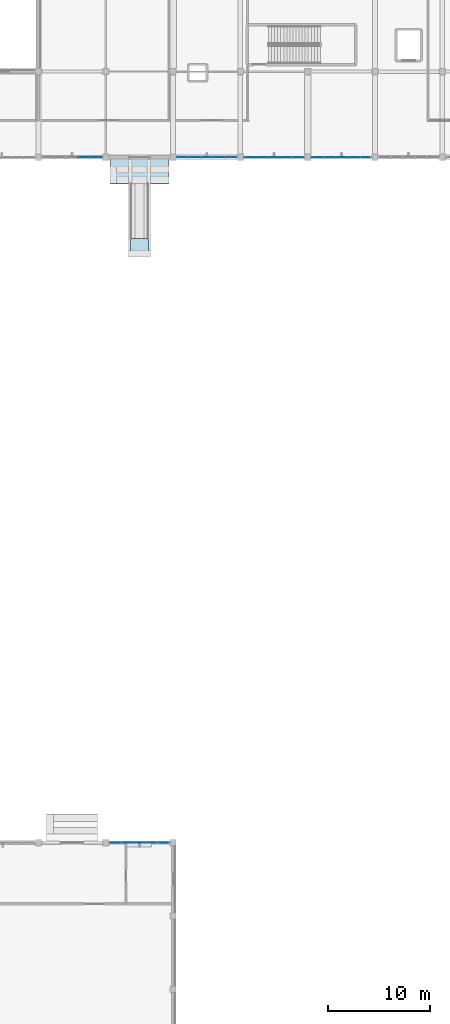
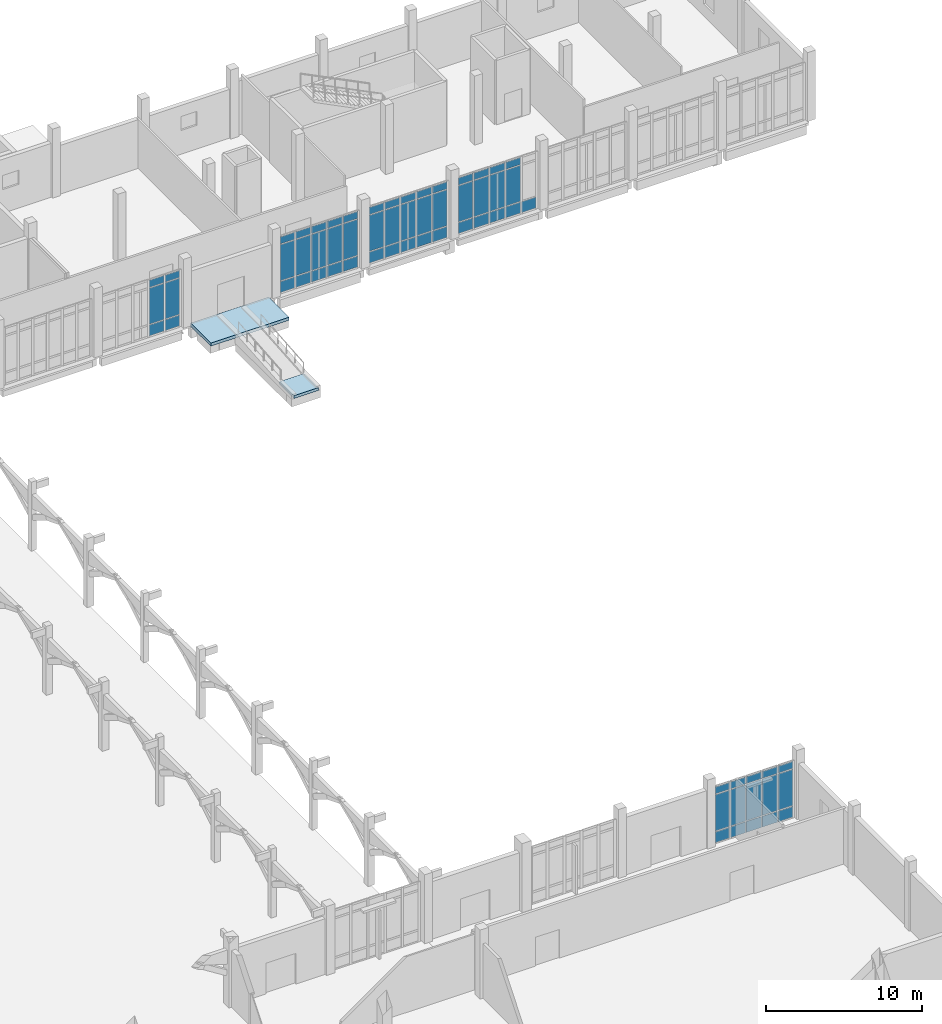
# One storey, part 86 of 110: 64 plates, 2 slabs, 6 elements without a shape of their own.
"""IFC4 building model written with IfcOpenShell, lengths in metres."""

import ifcopenshell
import ifcopenshell.guid

model = None  # the IFC model being written
_history = None  # IfcOwnerHistory: only IFC2X3 demands one
_inside = {}  # id of a spatial element -> (the spatial element, [elements in it])
_under = {}  # id of a project, library or spatial element -> (it, [spatial elements below it])
_declared = {}  # id of a project -> (the project, [libraries it declares])
_typed = {}  # id of a type object -> (the type object, [elements of that type])
_made_of = {}  # id of a material, layer set ... -> (it, [elements and type objects made of it])


def new_model(schema):
    """Start an empty IFC model of exactly this schema.

    Asked for "IFC4X3", IfcOpenShell would pick the latest addendum, in which some entities
    have other attributes; the version numbers below select the first issue.
    IFC2X3 requires an IfcOwnerHistory on every rooted entity: one is made here for all.
    """
    global model, _history
    if schema == "IFC4X3":
        model = ifcopenshell.file(schema_version=(4, 3, 0, 0))
    else:
        model = ifcopenshell.file(schema=schema)
    _inside.clear()
    _under.clear()
    _declared.clear()
    _typed.clear()
    _made_of.clear()
    _history = None
    if model.schema == "IFC2X3":
        org = make("IfcOrganization", Name="unknown")
        user = make(
            "IfcPersonAndOrganization",
            ThePerson=make("IfcPerson", FamilyName="unknown"),
            TheOrganization=org,
        )
        app = make(
            "IfcApplication",
            ApplicationDeveloper=org,
            Version="unknown",
            ApplicationFullName="unknown",
            ApplicationIdentifier="unknown",
        )
        _history = make(
            "IfcOwnerHistory",
            OwningUser=user,
            OwningApplication=app,
            ChangeAction="ADDED",
            CreationDate=0,
        )
    return model


def make(cls, **values):
    """One entity of the class cls with the attributes given. An attribute that is None is left unset."""
    return model.create_entity(
        cls, **{name: value for name, value in values.items() if value is not None}
    )


def rooted(cls, **values):
    """An entity with a GlobalId (a new one), such as an element, a storey or a relation."""
    return make(cls, GlobalId=ifcopenshell.guid.new(), OwnerHistory=_history, **values)


def si_unit(unit_type, name, prefix=None):
    """IfcSIUnit, for example si_unit("LENGTHUNIT", "METRE", prefix="MILLI")."""
    return make("IfcSIUnit", UnitType=unit_type, Prefix=prefix, Name=name)


def assignment(units):
    """IfcUnitAssignment: the units of a project."""
    return None if units is None else make("IfcUnitAssignment", Units=units)


def point(xyz):
    """IfcCartesianPoint."""
    return None if xyz is None else make("IfcCartesianPoint", Coordinates=xyz)


def direction(xyz):
    """IfcDirection."""
    return None if xyz is None else make("IfcDirection", DirectionRatios=xyz)


def frame(location, z_axis=None, x_axis=None):
    """IfcAxis2Placement3D, a coordinate frame: its origin and axes. An axis left out is left unset."""
    return make(
        "IfcAxis2Placement3D",
        Location=point(location),
        Axis=direction(z_axis),
        RefDirection=direction(x_axis),
    )


def frame_2d(location, x_axis=None):
    """IfcAxis2Placement2D, a coordinate frame in the plane: its origin and x axis."""
    return make(
        "IfcAxis2Placement2D", Location=point(location), RefDirection=direction(x_axis)
    )


def origin():
    """The frame at (0, 0, 0) with its axes left unset."""
    return frame((0.0, 0.0, 0.0))


def origin_2d():
    """The frame at (0, 0) in the plane with its x axis left unset."""
    return frame_2d((0.0, 0.0))


def place(relative_to, where):
    """IfcLocalPlacement: puts the frame where relative to a parent placement (None: the world)."""
    return make(
        "IfcLocalPlacement", PlacementRelTo=relative_to, RelativePlacement=where
    )


def context(
    kind, dimensions, precision=None, world=None, true_north=None, identifier=None
):
    """IfcGeometricRepresentationContext, for example the 3D "Model" context."""
    return make(
        "IfcGeometricRepresentationContext",
        ContextIdentifier=identifier,
        ContextType=kind,
        CoordinateSpaceDimension=dimensions,
        Precision=precision,
        WorldCoordinateSystem=world,
        TrueNorth=true_north,
    )


def subcontext(parent, identifier, kind, view, scale=None):
    """IfcGeometricRepresentationSubContext, for example "Body" below "Model"."""
    return make(
        "IfcGeometricRepresentationSubContext",
        ContextIdentifier=identifier,
        ContextType=kind,
        ParentContext=parent,
        TargetScale=scale,
        TargetView=view,
    )


def project(units=None, contexts=None):
    """IfcProject with its units and contexts."""
    return rooted(
        "IfcProject",
        Name="project",
        RepresentationContexts=contexts,
        UnitsInContext=assignment(units),
    )


def spatial(cls, under=None, at=None, **own):
    """A site, building, storey or space (cls), placed at a placement, below another one or the project."""
    s = rooted(cls, ObjectPlacement=at, **own)
    if under is not None:
        _under.setdefault(under.id(), (under, []))[1].append(s)
    return s


def polyline(points):
    """IfcPolyline through the points."""
    return make("IfcPolyline", Points=[point(p) for p in points])


def profile(cls, at=None, kind="AREA", **sizes):
    """A parametric profile (cls). Its sizes go by their IFC names, for example OverallWidth=200.0."""
    return make(cls, ProfileType=kind, Position=at, **sizes)


def rectangle(**sizes):
    """IfcRectangleProfileDef."""
    return profile("IfcRectangleProfileDef", **sizes)


def outline(outer, holes=None, kind="AREA"):
    """IfcArbitraryClosedProfileDef: a profile drawn as a closed curve; with holes, ...WithVoids."""
    if holes is None:
        return make("IfcArbitraryClosedProfileDef", ProfileType=kind, OuterCurve=outer)
    return make(
        "IfcArbitraryProfileDefWithVoids",
        ProfileType=kind,
        OuterCurve=outer,
        InnerCurves=holes,
    )


def extrude(swept, where, along, depth):
    """IfcExtrudedAreaSolid: the profile swept, set in the frame where, extruded along a direction by depth."""
    return make(
        "IfcExtrudedAreaSolid",
        SweptArea=swept,
        Position=where,
        ExtrudedDirection=direction(along),
        Depth=depth,
    )


def shape(context_of_items, identifier, shape_type, items):
    """IfcShapeRepresentation: the items that make up one representation, for example the "Body"."""
    return make(
        "IfcShapeRepresentation",
        ContextOfItems=context_of_items,
        RepresentationIdentifier=identifier,
        RepresentationType=shape_type,
        Items=items,
    )


def material(Name=None, Category=None):
    """IfcMaterial."""
    return make("IfcMaterial", Name=Name, Category=Category)


def layer(
    of_material, thickness, ventilated=None, Name=None, Category=None, Priority=None
):
    """IfcMaterialLayer: one layer of a wall or slab, of a material (None: an air gap)."""
    return make(
        "IfcMaterialLayer",
        Material=of_material,
        LayerThickness=thickness,
        IsVentilated=ventilated,
        Name=Name,
        Category=Category,
        Priority=Priority,
    )


def layer_set(layers, Name=None):
    """IfcMaterialLayerSet."""
    return make("IfcMaterialLayerSet", MaterialLayers=layers, LayerSetName=Name)


def made_of(thing, what):
    """Note that an element or type object is made of a material, layer set ...; save() writes the relation."""
    if what is not None:
        _made_of.setdefault(what.id(), (what, []))[1].append(thing)
    return thing


def type_object(cls, material=None, **own):
    """A type object (cls), such as IfcWallType, which elements share."""
    return made_of(rooted(cls, **own), material)


def element(
    cls,
    number,
    at=None,
    inside=None,
    cuts=None,
    type_object=None,
    material=None,
    context=None,
    identifier="Body",
    shape_type=None,
    held_by="IfcProductDefinitionShape",
    body=None,
    shapes=None,
    **own,
):
    """One element of the class cls, such as IfcWall. Its Tag is "e" and its number.

    at: its placement. inside: the storey or other place that contains it. cuts: it is an
    opening in that element (IfcRelVoidsElement). A single representation is given by context,
    identifier, shape_type and body (its items); several are given by shapes. held_by: the class
    of the entity that holds the representations. save() writes the other relations.
    """
    e = rooted(cls, Tag="e%d" % number, ObjectPlacement=at, **own)
    if body is not None:
        shapes = [shape(context, identifier, shape_type, body)]
    if shapes is not None:
        e.Representation = make(held_by, Representations=shapes)
    if inside is not None:
        _inside.setdefault(inside.id(), (inside, []))[1].append(e)
    if cuts is not None:
        rooted(
            "IfcRelVoidsElement", RelatingBuildingElement=cuts, RelatedOpeningElement=e
        )
    if type_object is not None:
        _typed.setdefault(type_object.id(), (type_object, []))[1].append(e)
    return made_of(e, material)


def aggregate(whole, parts):
    """IfcRelAggregates: a whole, such as a stair, and the parts it consists of."""
    return rooted("IfcRelAggregates", RelatingObject=whole, RelatedObjects=parts)


def save(model, path):
    """Write the relations noted so far, then the file.

    IfcRelAggregates (storeys below a building ...), IfcRelContainedInSpatialStructure (elements
    in a storey), IfcRelDefinesByType, IfcRelAssociatesMaterial and IfcRelDeclares: one each for
    every whole, place, type object, material and project.
    """
    for whole, parts in _under.values():
        aggregate(whole, parts)
    for where, things in _inside.values():
        rooted(
            "IfcRelContainedInSpatialStructure",
            RelatedElements=things,
            RelatingStructure=where,
        )
    for kind, things in _typed.values():
        rooted("IfcRelDefinesByType", RelatedObjects=things, RelatingType=kind)
    for what, things in _made_of.values():
        rooted("IfcRelAssociatesMaterial", RelatedObjects=things, RelatingMaterial=what)
    for by, libraries in _declared.values():
        rooted("IfcRelDeclares", RelatingContext=by, RelatedDefinitions=libraries)
    model.write(path)


model = new_model("IFC4")

# Units and contexts
model_context = context("Model", 3, precision=1e-05, world=origin(), true_north=direction((0.0, 1.0)))
body_context = subcontext(model_context, "Body", "Model", "MODEL_VIEW")
ifc_project = project(units=[si_unit("LENGTHUNIT", "METRE"), si_unit("AREAUNIT", "SQUARE_METRE"), si_unit("VOLUMEUNIT", "CUBIC_METRE"), si_unit("PLANEANGLEUNIT", "RADIAN"), si_unit("MASSUNIT", "GRAM", prefix="KILO")], contexts=[model_context])

# Site, building, storey
site_placement = place(None, origin())
site = spatial("IfcSite", under=ifc_project, at=site_placement, CompositionType="ELEMENT")
building_placement = place(site_placement, origin())
building = spatial("IfcBuilding", under=site, at=building_placement, Name="Kalluvel Institute of Natural Sciences", CompositionType="ELEMENT")
storey_placement = place(building_placement, origin())
storey = spatial("IfcBuildingStorey", under=building, at=storey_placement, Name="L00", CompositionType="ELEMENT", Elevation=0.0)

# Curtain wall, plates
ifc_material_1 = material(Name="Aluminium AW-6063 T6", Category="aluminium")
curtain_wall_type_1 = type_object("IfcCurtainWallType", Name="CW-CLN-54", PredefinedType="USERDEFINED", material=ifc_material_1)
curtain_wall_1_placement = place(storey_placement, origin())
curtain_wall_1 = element("IfcCurtainWall", 1, at=curtain_wall_1_placement, inside=storey, type_object=curtain_wall_type_1, Name="L00 Gothic lancet curtain wall CWA-L00-X1296-Y1028", ObjectType="UNITISED LANCET FACADE", PredefinedType="USERDEFINED")
ifc_material_2 = material(Name="Solar-Control Low-E Laminated Glass", Category="glass")
ifc_layer_1 = layer(ifc_material_2, 0.028076171875)
ifc_layer_set_1 = layer_set([ifc_layer_1], Name="Solar-Control Low-E Laminated Glass")
plate_type_1 = type_object("IfcPlateType", Name="CWP-DGU-28", PredefinedType="CURTAIN_PANEL", material=ifc_layer_set_1)
plate_1_placement = place(storey_placement, frame((133.679931640625, 102.800048828125, 0.06494140625), z_axis=(0.0, 0.0, 1.0), x_axis=(1.0, 0.0, 0.0)))
plate_1 = element("IfcPlate", 2, at=plate_1_placement, type_object=plate_type_1, Name="CW-09 panel 4.1", PredefinedType="CURTAIN_PANEL", context=body_context, shape_type="SweptSolid", body=[
    extrude(rectangle(XDim=1.114990234375, YDim=0.028076171875, at=origin_2d()), origin(), (0.0, 0.0, 1.0), 0.8525390625),
])
plate_2_placement = place(storey_placement, frame((133.679931640625, 102.800048828125, 0.982421875), z_axis=(0.0, 0.0, 1.0), x_axis=(1.0, 0.0, 0.0)))
plate_2 = element("IfcPlate", 3, at=plate_2_placement, type_object=plate_type_1, Name="CW-09 panel 4.2", PredefinedType="CURTAIN_PANEL", context=body_context, shape_type="SweptSolid", body=[
    extrude(rectangle(XDim=1.114990234375, YDim=0.028076171875, at=origin_2d()), origin(), (0.0, 0.0, 1.0), 2.81494140625),
])
plate_3_placement = place(storey_placement, frame((133.679931640625, 102.800048828125, 3.8623046875), z_axis=(0.0, 0.0, 1.0), x_axis=(1.0, 0.0, 0.0)))
plate_3 = element("IfcPlate", 4, at=plate_3_placement, type_object=plate_type_1, Name="CW-09 panel 4.3", PredefinedType="CURTAIN_PANEL", context=body_context, shape_type="SweptSolid", body=[
    extrude(rectangle(XDim=1.114990234375, YDim=0.028076171875, at=origin_2d()), origin(), (0.0, 0.0, 1.0), 0.552490234375),
])
plate_4_placement = place(storey_placement, frame((134.84375, 102.800048828125, 0.06494140625), z_axis=(0.0, 0.0, 1.0), x_axis=(1.0, 0.0, 0.0)))
plate_4 = element("IfcPlate", 5, at=plate_4_placement, type_object=plate_type_1, Name="CW-09 panel 5.1", PredefinedType="CURTAIN_PANEL", context=body_context, shape_type="SweptSolid", body=[
    extrude(rectangle(XDim=1.08251953125, YDim=0.028076171875, at=origin_2d()), origin(), (0.0, 0.0, 1.0), 0.8525390625),
])
plate_5_placement = place(storey_placement, frame((134.84375, 102.800048828125, 0.982421875), z_axis=(0.0, 0.0, 1.0), x_axis=(1.0, 0.0, 0.0)))
plate_5 = element("IfcPlate", 6, at=plate_5_placement, type_object=plate_type_1, Name="CW-09 panel 5.2", PredefinedType="CURTAIN_PANEL", context=body_context, shape_type="SweptSolid", body=[
    extrude(rectangle(XDim=1.08251953125, YDim=0.028076171875, at=origin_2d()), origin(), (0.0, 0.0, 1.0), 2.81494140625),
])
plate_6_placement = place(storey_placement, frame((134.84375, 102.800048828125, 3.8623046875), z_axis=(0.0, 0.0, 1.0), x_axis=(1.0, 0.0, 0.0)))
plate_6 = element("IfcPlate", 7, at=plate_6_placement, type_object=plate_type_1, Name="CW-09 panel 5.3", PredefinedType="CURTAIN_PANEL", context=body_context, shape_type="SweptSolid", body=[
    extrude(rectangle(XDim=1.08251953125, YDim=0.028076171875, at=origin_2d()), origin(), (0.0, 0.0, 1.0), 0.552490234375),
])
aggregate(curtain_wall_1, [plate_1, plate_2, plate_3, plate_4, plate_5, plate_6])

curtain_wall_2_placement = place(storey_placement, origin())
curtain_wall_2 = element("IfcCurtainWall", 8, at=curtain_wall_2_placement, inside=storey, type_object=curtain_wall_type_1, Name="L00 Gothic lancet curtain wall CWA-L00-X1428-Y1028", ObjectType="UNITISED LANCET FACADE", PredefinedType="USERDEFINED")
plate_7_placement = place(storey_placement, frame((143.356201171875, 102.800048828125, 0.06494140625), z_axis=(0.0, 0.0, 1.0), x_axis=(1.0, 0.0, 0.0)))
plate_7 = element("IfcPlate", 9, at=plate_7_placement, type_object=plate_type_1, Name="CW-09 panel 1.1", PredefinedType="CURTAIN_PANEL", context=body_context, shape_type="SweptSolid", body=[
    extrude(rectangle(XDim=1.08251953125, YDim=0.028076171875, at=origin_2d()), origin(), (0.0, 0.0, 1.0), 0.8525390625),
])
plate_8_placement = place(storey_placement, frame((143.356201171875, 102.800048828125, 0.982421875), z_axis=(0.0, 0.0, 1.0), x_axis=(1.0, 0.0, 0.0)))
plate_8 = element("IfcPlate", 10, at=plate_8_placement, type_object=plate_type_1, Name="CW-09 panel 1.2", PredefinedType="CURTAIN_PANEL", context=body_context, shape_type="SweptSolid", body=[
    extrude(rectangle(XDim=1.08251953125, YDim=0.028076171875, at=origin_2d()), origin(), (0.0, 0.0, 1.0), 2.81494140625),
])
plate_9_placement = place(storey_placement, frame((143.356201171875, 102.800048828125, 3.8623046875), z_axis=(0.0, 0.0, 1.0), x_axis=(1.0, 0.0, 0.0)))
plate_9 = element("IfcPlate", 11, at=plate_9_placement, type_object=plate_type_1, Name="CW-09 panel 1.3", PredefinedType="CURTAIN_PANEL", context=body_context, shape_type="SweptSolid", body=[
    extrude(rectangle(XDim=1.08251953125, YDim=0.028076171875, at=origin_2d()), origin(), (0.0, 0.0, 1.0), 0.552490234375),
])
plate_10_placement = place(storey_placement, frame((144.52001953125, 102.800048828125, 0.06494140625), z_axis=(0.0, 0.0, 1.0), x_axis=(1.0, 0.0, 0.0)))
plate_10 = element("IfcPlate", 12, at=plate_10_placement, type_object=plate_type_1, Name="CW-09 panel 2.1", PredefinedType="CURTAIN_PANEL", context=body_context, shape_type="SweptSolid", body=[
    extrude(rectangle(XDim=1.114990234375, YDim=0.028076171875, at=origin_2d()), origin(), (0.0, 0.0, 1.0), 0.8525390625),
])
plate_11_placement = place(storey_placement, frame((144.52001953125, 102.800048828125, 0.982421875), z_axis=(0.0, 0.0, 1.0), x_axis=(1.0, 0.0, 0.0)))
plate_11 = element("IfcPlate", 13, at=plate_11_placement, type_object=plate_type_1, Name="CW-09 panel 2.2", PredefinedType="CURTAIN_PANEL", context=body_context, shape_type="SweptSolid", body=[
    extrude(rectangle(XDim=1.114990234375, YDim=0.028076171875, at=origin_2d()), origin(), (0.0, 0.0, 1.0), 2.81494140625),
])
plate_12_placement = place(storey_placement, frame((144.52001953125, 102.800048828125, 3.8623046875), z_axis=(0.0, 0.0, 1.0), x_axis=(1.0, 0.0, 0.0)))
plate_12 = element("IfcPlate", 14, at=plate_12_placement, type_object=plate_type_1, Name="CW-09 panel 2.3", PredefinedType="CURTAIN_PANEL", context=body_context, shape_type="SweptSolid", body=[
    extrude(rectangle(XDim=1.114990234375, YDim=0.028076171875, at=origin_2d()), origin(), (0.0, 0.0, 1.0), 0.552490234375),
])
plate_13_placement = place(storey_placement, frame((145.699951171875, 102.800048828125, 0.06494140625), z_axis=(0.0, 0.0, 1.0), x_axis=(1.0, 0.0, 0.0)))
plate_13 = element("IfcPlate", 15, at=plate_13_placement, type_object=plate_type_1, Name="CW-09 panel 3.1", PredefinedType="CURTAIN_PANEL", context=body_context, shape_type="SweptSolid", body=[
    extrude(rectangle(XDim=1.114990234375, YDim=0.028076171875, at=origin_2d()), origin(), (0.0, 0.0, 1.0), 0.8525390625),
])
plate_14_placement = place(storey_placement, frame((145.699951171875, 102.800048828125, 0.982421875), z_axis=(0.0, 0.0, 1.0), x_axis=(1.0, 0.0, 0.0)))
plate_14 = element("IfcPlate", 16, at=plate_14_placement, type_object=plate_type_1, Name="CW-09 panel 3.2", PredefinedType="CURTAIN_PANEL", context=body_context, shape_type="SweptSolid", body=[
    extrude(rectangle(XDim=1.114990234375, YDim=0.028076171875, at=origin_2d()), origin(), (0.0, 0.0, 1.0), 2.81494140625),
])
plate_15_placement = place(storey_placement, frame((145.699951171875, 102.800048828125, 3.8623046875), z_axis=(0.0, 0.0, 1.0), x_axis=(1.0, 0.0, 0.0)))
plate_15 = element("IfcPlate", 17, at=plate_15_placement, type_object=plate_type_1, Name="CW-09 panel 3.3", PredefinedType="CURTAIN_PANEL", context=body_context, shape_type="SweptSolid", body=[
    extrude(rectangle(XDim=1.114990234375, YDim=0.028076171875, at=origin_2d()), origin(), (0.0, 0.0, 1.0), 0.552490234375),
])
plate_16_placement = place(storey_placement, frame((146.8798828125, 102.800048828125, 0.06494140625), z_axis=(0.0, 0.0, 1.0), x_axis=(1.0, 0.0, 0.0)))
plate_16 = element("IfcPlate", 18, at=plate_16_placement, type_object=plate_type_1, Name="CW-09 panel 4.1", PredefinedType="CURTAIN_PANEL", context=body_context, shape_type="SweptSolid", body=[
    extrude(rectangle(XDim=1.114990234375, YDim=0.028076171875, at=origin_2d()), origin(), (0.0, 0.0, 1.0), 0.8525390625),
])
plate_17_placement = place(storey_placement, frame((146.8798828125, 102.800048828125, 0.982421875), z_axis=(0.0, 0.0, 1.0), x_axis=(1.0, 0.0, 0.0)))
plate_17 = element("IfcPlate", 19, at=plate_17_placement, type_object=plate_type_1, Name="CW-09 panel 4.2", PredefinedType="CURTAIN_PANEL", context=body_context, shape_type="SweptSolid", body=[
    extrude(rectangle(XDim=1.114990234375, YDim=0.028076171875, at=origin_2d()), origin(), (0.0, 0.0, 1.0), 2.81494140625),
])
plate_18_placement = place(storey_placement, frame((146.8798828125, 102.800048828125, 3.8623046875), z_axis=(0.0, 0.0, 1.0), x_axis=(1.0, 0.0, 0.0)))
plate_18 = element("IfcPlate", 20, at=plate_18_placement, type_object=plate_type_1, Name="CW-09 panel 4.3", PredefinedType="CURTAIN_PANEL", context=body_context, shape_type="SweptSolid", body=[
    extrude(rectangle(XDim=1.114990234375, YDim=0.028076171875, at=origin_2d()), origin(), (0.0, 0.0, 1.0), 0.552490234375),
])
plate_19_placement = place(storey_placement, frame((148.043701171875, 102.800048828125, 0.06494140625), z_axis=(0.0, 0.0, 1.0), x_axis=(1.0, 0.0, 0.0)))
plate_19 = element("IfcPlate", 21, at=plate_19_placement, type_object=plate_type_1, Name="CW-09 panel 5.1", PredefinedType="CURTAIN_PANEL", context=body_context, shape_type="SweptSolid", body=[
    extrude(rectangle(XDim=1.08251953125, YDim=0.028076171875, at=origin_2d()), origin(), (0.0, 0.0, 1.0), 0.8525390625),
])
plate_20_placement = place(storey_placement, frame((148.043701171875, 102.800048828125, 0.982421875), z_axis=(0.0, 0.0, 1.0), x_axis=(1.0, 0.0, 0.0)))
plate_20 = element("IfcPlate", 22, at=plate_20_placement, type_object=plate_type_1, Name="CW-09 panel 5.2", PredefinedType="CURTAIN_PANEL", context=body_context, shape_type="SweptSolid", body=[
    extrude(rectangle(XDim=1.08251953125, YDim=0.028076171875, at=origin_2d()), origin(), (0.0, 0.0, 1.0), 2.81494140625),
])
plate_21_placement = place(storey_placement, frame((148.043701171875, 102.800048828125, 3.8623046875), z_axis=(0.0, 0.0, 1.0), x_axis=(1.0, 0.0, 0.0)))
plate_21 = element("IfcPlate", 23, at=plate_21_placement, type_object=plate_type_1, Name="CW-09 panel 5.3", PredefinedType="CURTAIN_PANEL", context=body_context, shape_type="SweptSolid", body=[
    extrude(rectangle(XDim=1.08251953125, YDim=0.028076171875, at=origin_2d()), origin(), (0.0, 0.0, 1.0), 0.552490234375),
])
aggregate(curtain_wall_2, [plate_7, plate_8, plate_9, plate_10, plate_11, plate_12, plate_13, plate_14, plate_15, plate_16, plate_17, plate_18, plate_19, plate_20, plate_21])

curtain_wall_3_placement = place(storey_placement, origin())
curtain_wall_3 = element("IfcCurtainWall", 24, at=curtain_wall_3_placement, inside=storey, type_object=curtain_wall_type_1, Name="L00 Gothic lancet curtain wall CWA-L00-X1494-Y1028", ObjectType="UNITISED LANCET FACADE", PredefinedType="USERDEFINED")
plate_22_placement = place(storey_placement, frame((149.956298828125, 102.800048828125, 0.06494140625), z_axis=(0.0, 0.0, 1.0), x_axis=(1.0, 0.0, 0.0)))
plate_22 = element("IfcPlate", 25, at=plate_22_placement, type_object=plate_type_1, Name="CW-09 panel 1.1", PredefinedType="CURTAIN_PANEL", context=body_context, shape_type="SweptSolid", body=[
    extrude(rectangle(XDim=1.08251953125, YDim=0.028076171875, at=origin_2d()), origin(), (0.0, 0.0, 1.0), 0.8525390625),
])
plate_23_placement = place(storey_placement, frame((149.956298828125, 102.800048828125, 0.982421875), z_axis=(0.0, 0.0, 1.0), x_axis=(1.0, 0.0, 0.0)))
plate_23 = element("IfcPlate", 26, at=plate_23_placement, type_object=plate_type_1, Name="CW-09 panel 1.2", PredefinedType="CURTAIN_PANEL", context=body_context, shape_type="SweptSolid", body=[
    extrude(rectangle(XDim=1.08251953125, YDim=0.028076171875, at=origin_2d()), origin(), (0.0, 0.0, 1.0), 2.81494140625),
])
plate_24_placement = place(storey_placement, frame((149.956298828125, 102.800048828125, 3.8623046875), z_axis=(0.0, 0.0, 1.0), x_axis=(1.0, 0.0, 0.0)))
plate_24 = element("IfcPlate", 27, at=plate_24_placement, type_object=plate_type_1, Name="CW-09 panel 1.3", PredefinedType="CURTAIN_PANEL", context=body_context, shape_type="SweptSolid", body=[
    extrude(rectangle(XDim=1.08251953125, YDim=0.028076171875, at=origin_2d()), origin(), (0.0, 0.0, 1.0), 0.552490234375),
])
plate_25_placement = place(storey_placement, frame((151.1201171875, 102.800048828125, 0.06494140625), z_axis=(0.0, 0.0, 1.0), x_axis=(1.0, 0.0, 0.0)))
plate_25 = element("IfcPlate", 28, at=plate_25_placement, type_object=plate_type_1, Name="CW-09 panel 2.1", PredefinedType="CURTAIN_PANEL", context=body_context, shape_type="SweptSolid", body=[
    extrude(rectangle(XDim=1.114990234375, YDim=0.028076171875, at=origin_2d()), origin(), (0.0, 0.0, 1.0), 0.8525390625),
])
plate_26_placement = place(storey_placement, frame((151.1201171875, 102.800048828125, 0.982421875), z_axis=(0.0, 0.0, 1.0), x_axis=(1.0, 0.0, 0.0)))
plate_26 = element("IfcPlate", 29, at=plate_26_placement, type_object=plate_type_1, Name="CW-09 panel 2.2", PredefinedType="CURTAIN_PANEL", context=body_context, shape_type="SweptSolid", body=[
    extrude(rectangle(XDim=1.114990234375, YDim=0.028076171875, at=origin_2d()), origin(), (0.0, 0.0, 1.0), 2.81494140625),
])
plate_27_placement = place(storey_placement, frame((151.1201171875, 102.800048828125, 3.8623046875), z_axis=(0.0, 0.0, 1.0), x_axis=(1.0, 0.0, 0.0)))
plate_27 = element("IfcPlate", 30, at=plate_27_placement, type_object=plate_type_1, Name="CW-09 panel 2.3", PredefinedType="CURTAIN_PANEL", context=body_context, shape_type="SweptSolid", body=[
    extrude(rectangle(XDim=1.114990234375, YDim=0.028076171875, at=origin_2d()), origin(), (0.0, 0.0, 1.0), 0.552490234375),
])
plate_28_placement = place(storey_placement, frame((152.300048828125, 102.800048828125, 0.06494140625), z_axis=(0.0, 0.0, 1.0), x_axis=(1.0, 0.0, 0.0)))
plate_28 = element("IfcPlate", 31, at=plate_28_placement, type_object=plate_type_1, Name="CW-09 panel 3.1", PredefinedType="CURTAIN_PANEL", context=body_context, shape_type="SweptSolid", body=[
    extrude(rectangle(XDim=1.114990234375, YDim=0.028076171875, at=origin_2d()), origin(), (0.0, 0.0, 1.0), 0.8525390625),
])
plate_29_placement = place(storey_placement, frame((152.300048828125, 102.800048828125, 0.982421875), z_axis=(0.0, 0.0, 1.0), x_axis=(1.0, 0.0, 0.0)))
plate_29 = element("IfcPlate", 32, at=plate_29_placement, type_object=plate_type_1, Name="CW-09 panel 3.2", PredefinedType="CURTAIN_PANEL", context=body_context, shape_type="SweptSolid", body=[
    extrude(rectangle(XDim=1.114990234375, YDim=0.028076171875, at=origin_2d()), origin(), (0.0, 0.0, 1.0), 2.81494140625),
])
plate_30_placement = place(storey_placement, frame((152.300048828125, 102.800048828125, 3.8623046875), z_axis=(0.0, 0.0, 1.0), x_axis=(1.0, 0.0, 0.0)))
plate_30 = element("IfcPlate", 33, at=plate_30_placement, type_object=plate_type_1, Name="CW-09 panel 3.3", PredefinedType="CURTAIN_PANEL", context=body_context, shape_type="SweptSolid", body=[
    extrude(rectangle(XDim=1.114990234375, YDim=0.028076171875, at=origin_2d()), origin(), (0.0, 0.0, 1.0), 0.552490234375),
])
plate_31_placement = place(storey_placement, frame((153.47998046875, 102.800048828125, 0.06494140625), z_axis=(0.0, 0.0, 1.0), x_axis=(1.0, 0.0, 0.0)))
plate_31 = element("IfcPlate", 34, at=plate_31_placement, type_object=plate_type_1, Name="CW-09 panel 4.1", PredefinedType="CURTAIN_PANEL", context=body_context, shape_type="SweptSolid", body=[
    extrude(rectangle(XDim=1.114990234375, YDim=0.028076171875, at=origin_2d()), origin(), (0.0, 0.0, 1.0), 0.8525390625),
])
plate_32_placement = place(storey_placement, frame((153.47998046875, 102.800048828125, 0.982421875), z_axis=(0.0, 0.0, 1.0), x_axis=(1.0, 0.0, 0.0)))
plate_32 = element("IfcPlate", 35, at=plate_32_placement, type_object=plate_type_1, Name="CW-09 panel 4.2", PredefinedType="CURTAIN_PANEL", context=body_context, shape_type="SweptSolid", body=[
    extrude(rectangle(XDim=1.114990234375, YDim=0.028076171875, at=origin_2d()), origin(), (0.0, 0.0, 1.0), 2.81494140625),
])
plate_33_placement = place(storey_placement, frame((153.47998046875, 102.800048828125, 3.8623046875), z_axis=(0.0, 0.0, 1.0), x_axis=(1.0, 0.0, 0.0)))
plate_33 = element("IfcPlate", 36, at=plate_33_placement, type_object=plate_type_1, Name="CW-09 panel 4.3", PredefinedType="CURTAIN_PANEL", context=body_context, shape_type="SweptSolid", body=[
    extrude(rectangle(XDim=1.114990234375, YDim=0.028076171875, at=origin_2d()), origin(), (0.0, 0.0, 1.0), 0.552490234375),
])
plate_34_placement = place(storey_placement, frame((154.643798828125, 102.800048828125, 0.06494140625), z_axis=(0.0, 0.0, 1.0), x_axis=(1.0, 0.0, 0.0)))
plate_34 = element("IfcPlate", 37, at=plate_34_placement, type_object=plate_type_1, Name="CW-09 panel 5.1", PredefinedType="CURTAIN_PANEL", context=body_context, shape_type="SweptSolid", body=[
    extrude(rectangle(XDim=1.08251953125, YDim=0.028076171875, at=origin_2d()), origin(), (0.0, 0.0, 1.0), 0.8525390625),
])
plate_35_placement = place(storey_placement, frame((154.643798828125, 102.800048828125, 0.982421875), z_axis=(0.0, 0.0, 1.0), x_axis=(1.0, 0.0, 0.0)))
plate_35 = element("IfcPlate", 38, at=plate_35_placement, type_object=plate_type_1, Name="CW-09 panel 5.2", PredefinedType="CURTAIN_PANEL", context=body_context, shape_type="SweptSolid", body=[
    extrude(rectangle(XDim=1.08251953125, YDim=0.028076171875, at=origin_2d()), origin(), (0.0, 0.0, 1.0), 2.81494140625),
])
plate_36_placement = place(storey_placement, frame((154.643798828125, 102.800048828125, 3.8623046875), z_axis=(0.0, 0.0, 1.0), x_axis=(1.0, 0.0, 0.0)))
plate_36 = element("IfcPlate", 39, at=plate_36_placement, type_object=plate_type_1, Name="CW-09 panel 5.3", PredefinedType="CURTAIN_PANEL", context=body_context, shape_type="SweptSolid", body=[
    extrude(rectangle(XDim=1.08251953125, YDim=0.028076171875, at=origin_2d()), origin(), (0.0, 0.0, 1.0), 0.552490234375),
])
aggregate(curtain_wall_3, [plate_22, plate_23, plate_24, plate_25, plate_26, plate_27, plate_28, plate_29, plate_30, plate_31, plate_32, plate_33, plate_34, plate_35, plate_36])

curtain_wall_4_placement = place(storey_placement, origin())
curtain_wall_4 = element("IfcCurtainWall", 40, at=curtain_wall_4_placement, inside=storey, type_object=curtain_wall_type_1, Name="L00 Gothic lancet curtain wall CWA-L00-X1560-Y1028", ObjectType="UNITISED LANCET FACADE", PredefinedType="USERDEFINED")
plate_37_placement = place(storey_placement, frame((156.55615234375, 102.800048828125, 0.06494140625), z_axis=(0.0, 0.0, 1.0), x_axis=(1.0, 0.0, 0.0)))
plate_37 = element("IfcPlate", 41, at=plate_37_placement, type_object=plate_type_1, Name="CW-09 panel 1.1", PredefinedType="CURTAIN_PANEL", context=body_context, shape_type="SweptSolid", body=[
    extrude(rectangle(XDim=1.08251953125, YDim=0.028076171875, at=origin_2d()), origin(), (0.0, 0.0, 1.0), 0.8525390625),
])
plate_38_placement = place(storey_placement, frame((156.55615234375, 102.800048828125, 0.982421875), z_axis=(0.0, 0.0, 1.0), x_axis=(1.0, 0.0, 0.0)))
plate_38 = element("IfcPlate", 42, at=plate_38_placement, type_object=plate_type_1, Name="CW-09 panel 1.2", PredefinedType="CURTAIN_PANEL", context=body_context, shape_type="SweptSolid", body=[
    extrude(rectangle(XDim=1.08251953125, YDim=0.028076171875, at=origin_2d()), origin(), (0.0, 0.0, 1.0), 2.81494140625),
])
plate_39_placement = place(storey_placement, frame((156.55615234375, 102.800048828125, 3.8623046875), z_axis=(0.0, 0.0, 1.0), x_axis=(1.0, 0.0, 0.0)))
plate_39 = element("IfcPlate", 43, at=plate_39_placement, type_object=plate_type_1, Name="CW-09 panel 1.3", PredefinedType="CURTAIN_PANEL", context=body_context, shape_type="SweptSolid", body=[
    extrude(rectangle(XDim=1.08251953125, YDim=0.028076171875, at=origin_2d()), origin(), (0.0, 0.0, 1.0), 0.552490234375),
])
plate_40_placement = place(storey_placement, frame((157.719970703125, 102.800048828125, 0.06494140625), z_axis=(0.0, 0.0, 1.0), x_axis=(1.0, 0.0, 0.0)))
plate_40 = element("IfcPlate", 44, at=plate_40_placement, type_object=plate_type_1, Name="CW-09 panel 2.1", PredefinedType="CURTAIN_PANEL", context=body_context, shape_type="SweptSolid", body=[
    extrude(rectangle(XDim=1.114990234375, YDim=0.028076171875, at=origin_2d()), origin(), (0.0, 0.0, 1.0), 0.8525390625),
])
plate_41_placement = place(storey_placement, frame((157.719970703125, 102.800048828125, 0.982421875), z_axis=(0.0, 0.0, 1.0), x_axis=(1.0, 0.0, 0.0)))
plate_41 = element("IfcPlate", 45, at=plate_41_placement, type_object=plate_type_1, Name="CW-09 panel 2.2", PredefinedType="CURTAIN_PANEL", context=body_context, shape_type="SweptSolid", body=[
    extrude(rectangle(XDim=1.114990234375, YDim=0.028076171875, at=origin_2d()), origin(), (0.0, 0.0, 1.0), 2.81494140625),
])
plate_42_placement = place(storey_placement, frame((157.719970703125, 102.800048828125, 3.8623046875), z_axis=(0.0, 0.0, 1.0), x_axis=(1.0, 0.0, 0.0)))
plate_42 = element("IfcPlate", 46, at=plate_42_placement, type_object=plate_type_1, Name="CW-09 panel 2.3", PredefinedType="CURTAIN_PANEL", context=body_context, shape_type="SweptSolid", body=[
    extrude(rectangle(XDim=1.114990234375, YDim=0.028076171875, at=origin_2d()), origin(), (0.0, 0.0, 1.0), 0.552490234375),
])
plate_43_placement = place(storey_placement, frame((158.89990234375, 102.800048828125, 0.06494140625), z_axis=(0.0, 0.0, 1.0), x_axis=(1.0, 0.0, 0.0)))
plate_43 = element("IfcPlate", 47, at=plate_43_placement, type_object=plate_type_1, Name="CW-09 panel 3.1", PredefinedType="CURTAIN_PANEL", context=body_context, shape_type="SweptSolid", body=[
    extrude(rectangle(XDim=1.114990234375, YDim=0.028076171875, at=origin_2d()), origin(), (0.0, 0.0, 1.0), 0.8525390625),
])
plate_44_placement = place(storey_placement, frame((158.89990234375, 102.800048828125, 0.982421875), z_axis=(0.0, 0.0, 1.0), x_axis=(1.0, 0.0, 0.0)))
plate_44 = element("IfcPlate", 48, at=plate_44_placement, type_object=plate_type_1, Name="CW-09 panel 3.2", PredefinedType="CURTAIN_PANEL", context=body_context, shape_type="SweptSolid", body=[
    extrude(rectangle(XDim=1.114990234375, YDim=0.028076171875, at=origin_2d()), origin(), (0.0, 0.0, 1.0), 2.81494140625),
])
plate_45_placement = place(storey_placement, frame((158.89990234375, 102.800048828125, 3.8623046875), z_axis=(0.0, 0.0, 1.0), x_axis=(1.0, 0.0, 0.0)))
plate_45 = element("IfcPlate", 49, at=plate_45_placement, type_object=plate_type_1, Name="CW-09 panel 3.3", PredefinedType="CURTAIN_PANEL", context=body_context, shape_type="SweptSolid", body=[
    extrude(rectangle(XDim=1.114990234375, YDim=0.028076171875, at=origin_2d()), origin(), (0.0, 0.0, 1.0), 0.552490234375),
])
plate_46_placement = place(storey_placement, frame((160.080078125, 102.800048828125, 0.06494140625), z_axis=(0.0, 0.0, 1.0), x_axis=(1.0, 0.0, 0.0)))
plate_46 = element("IfcPlate", 50, at=plate_46_placement, type_object=plate_type_1, Name="CW-09 panel 4.1", PredefinedType="CURTAIN_PANEL", context=body_context, shape_type="SweptSolid", body=[
    extrude(rectangle(XDim=1.114990234375, YDim=0.028076171875, at=origin_2d()), origin(), (0.0, 0.0, 1.0), 0.8525390625),
])
plate_47_placement = place(storey_placement, frame((160.080078125, 102.800048828125, 0.982421875), z_axis=(0.0, 0.0, 1.0), x_axis=(1.0, 0.0, 0.0)))
plate_47 = element("IfcPlate", 51, at=plate_47_placement, type_object=plate_type_1, Name="CW-09 panel 4.2", PredefinedType="CURTAIN_PANEL", context=body_context, shape_type="SweptSolid", body=[
    extrude(rectangle(XDim=1.114990234375, YDim=0.028076171875, at=origin_2d()), origin(), (0.0, 0.0, 1.0), 2.81494140625),
])
plate_48_placement = place(storey_placement, frame((160.080078125, 102.800048828125, 3.8623046875), z_axis=(0.0, 0.0, 1.0), x_axis=(1.0, 0.0, 0.0)))
plate_48 = element("IfcPlate", 52, at=plate_48_placement, type_object=plate_type_1, Name="CW-09 panel 4.3", PredefinedType="CURTAIN_PANEL", context=body_context, shape_type="SweptSolid", body=[
    extrude(rectangle(XDim=1.114990234375, YDim=0.028076171875, at=origin_2d()), origin(), (0.0, 0.0, 1.0), 0.552490234375),
])
plate_49_placement = place(storey_placement, frame((161.24365234375, 102.800048828125, 0.06494140625), z_axis=(0.0, 0.0, 1.0), x_axis=(1.0, 0.0, 0.0)))
plate_49 = element("IfcPlate", 53, at=plate_49_placement, type_object=plate_type_1, Name="CW-09 panel 5.1", PredefinedType="CURTAIN_PANEL", context=body_context, shape_type="SweptSolid", body=[
    extrude(rectangle(XDim=1.08251953125, YDim=0.028076171875, at=origin_2d()), origin(), (0.0, 0.0, 1.0), 0.8525390625),
])
aggregate(curtain_wall_4, [plate_37, plate_38, plate_39, plate_40, plate_41, plate_42, plate_43, plate_44, plate_45, plate_46, plate_47, plate_48, plate_49])

curtain_wall_type_2 = type_object("IfcCurtainWallType", Name="CW-SPAV-45", PredefinedType="USERDEFINED", material=ifc_material_1)
curtain_wall_5_placement = place(storey_placement, origin())
curtain_wall_5 = element("IfcCurtainWall", 54, at=curtain_wall_5_placement, inside=storey, type_object=curtain_wall_type_2, Name="L00 Gothic lancet curtain wall CWA-L00-X1362-Y356", ObjectType="UNITISED LANCET FACADE", PredefinedType="USERDEFINED")
ifc_layer_2 = layer(ifc_material_2, 0.031982421875)
ifc_layer_set_2 = layer_set([ifc_layer_2], Name="Solar-Control Low-E Laminated Glass")
plate_type_2 = type_object("IfcPlateType", Name="CWP-DGU-32", PredefinedType="CURTAIN_PANEL", material=ifc_layer_set_2)
plate_50_placement = place(storey_placement, frame((136.757568359375, 35.60009765625, 0.06982421875), z_axis=(0.0, 0.0, 1.0), x_axis=(1.0, 0.0, 0.0)))
plate_50 = element("IfcPlate", 55, at=plate_50_placement, type_object=plate_type_2, Name="CW-10 panel 1.1", PredefinedType="CURTAIN_PANEL", context=body_context, shape_type="SweptSolid", body=[
    extrude(rectangle(XDim=1.074951171875, YDim=0.031982421875, at=origin_2d()), origin(), (0.0, 0.0, 1.0), 0.844970703125),
])
plate_51_placement = place(storey_placement, frame((136.757568359375, 35.60009765625, 0.98486328125), z_axis=(0.0, 0.0, 1.0), x_axis=(1.0, 0.0, 0.0)))
plate_51 = element("IfcPlate", 56, at=plate_51_placement, type_object=plate_type_2, Name="CW-10 panel 1.2", PredefinedType="CURTAIN_PANEL", context=body_context, shape_type="SweptSolid", body=[
    extrude(rectangle(XDim=1.074951171875, YDim=0.031982421875, at=origin_2d()), origin(), (0.0, 0.0, 1.0), 2.830078125),
])
plate_52_placement = place(storey_placement, frame((136.757568359375, 35.60009765625, 3.885009765625), z_axis=(0.0, 0.0, 1.0), x_axis=(1.0, 0.0, 0.0)))
plate_52 = element("IfcPlate", 57, at=plate_52_placement, type_object=plate_type_2, Name="CW-10 panel 1.3", PredefinedType="CURTAIN_PANEL", context=body_context, shape_type="SweptSolid", body=[
    extrude(rectangle(XDim=1.074951171875, YDim=0.031982421875, at=origin_2d()), origin(), (0.0, 0.0, 1.0), 0.544921875),
])
plate_53_placement = place(storey_placement, frame((137.919921875, 35.60009765625, 0.06982421875), z_axis=(0.0, 0.0, 1.0), x_axis=(1.0, 0.0, 0.0)))
plate_53 = element("IfcPlate", 58, at=plate_53_placement, type_object=plate_type_2, Name="CW-10 panel 2.1", PredefinedType="CURTAIN_PANEL", context=body_context, shape_type="SweptSolid", body=[
    extrude(rectangle(XDim=1.110107421875, YDim=0.031982421875, at=origin_2d()), origin(), (0.0, 0.0, 1.0), 0.844970703125),
])
plate_54_placement = place(storey_placement, frame((137.919921875, 35.60009765625, 0.98486328125), z_axis=(0.0, 0.0, 1.0), x_axis=(1.0, 0.0, 0.0)))
plate_54 = element("IfcPlate", 59, at=plate_54_placement, type_object=plate_type_2, Name="CW-10 panel 2.2", PredefinedType="CURTAIN_PANEL", context=body_context, shape_type="SweptSolid", body=[
    extrude(rectangle(XDim=1.110107421875, YDim=0.031982421875, at=origin_2d()), origin(), (0.0, 0.0, 1.0), 2.830078125),
])
plate_55_placement = place(storey_placement, frame((137.919921875, 35.60009765625, 3.885009765625), z_axis=(0.0, 0.0, 1.0), x_axis=(1.0, 0.0, 0.0)))
plate_55 = element("IfcPlate", 60, at=plate_55_placement, type_object=plate_type_2, Name="CW-10 panel 2.3", PredefinedType="CURTAIN_PANEL", context=body_context, shape_type="SweptSolid", body=[
    extrude(rectangle(XDim=1.110107421875, YDim=0.031982421875, at=origin_2d()), origin(), (0.0, 0.0, 1.0), 0.544921875),
])
plate_56_placement = place(storey_placement, frame((139.10009765625, 35.60009765625, 0.06982421875), z_axis=(0.0, 0.0, 1.0), x_axis=(1.0, 0.0, 0.0)))
plate_56 = element("IfcPlate", 61, at=plate_56_placement, type_object=plate_type_2, Name="CW-10 panel 3.1", PredefinedType="CURTAIN_PANEL", context=body_context, shape_type="SweptSolid", body=[
    extrude(rectangle(XDim=1.110107421875, YDim=0.031982421875, at=origin_2d()), origin(), (0.0, 0.0, 1.0), 0.844970703125),
])
plate_57_placement = place(storey_placement, frame((139.10009765625, 35.60009765625, 0.98486328125), z_axis=(0.0, 0.0, 1.0), x_axis=(1.0, 0.0, 0.0)))
plate_57 = element("IfcPlate", 62, at=plate_57_placement, type_object=plate_type_2, Name="CW-10 panel 3.2", PredefinedType="CURTAIN_PANEL", context=body_context, shape_type="SweptSolid", body=[
    extrude(rectangle(XDim=1.110107421875, YDim=0.031982421875, at=origin_2d()), origin(), (0.0, 0.0, 1.0), 2.830078125),
])
plate_58_placement = place(storey_placement, frame((139.10009765625, 35.60009765625, 3.885009765625), z_axis=(0.0, 0.0, 1.0), x_axis=(1.0, 0.0, 0.0)))
plate_58 = element("IfcPlate", 63, at=plate_58_placement, type_object=plate_type_2, Name="CW-10 panel 3.3", PredefinedType="CURTAIN_PANEL", context=body_context, shape_type="SweptSolid", body=[
    extrude(rectangle(XDim=1.110107421875, YDim=0.031982421875, at=origin_2d()), origin(), (0.0, 0.0, 1.0), 0.544921875),
])
plate_59_placement = place(storey_placement, frame((140.280029296875, 35.60009765625, 0.06982421875), z_axis=(0.0, 0.0, 1.0), x_axis=(1.0, 0.0, 0.0)))
plate_59 = element("IfcPlate", 64, at=plate_59_placement, type_object=plate_type_2, Name="CW-10 panel 4.1", PredefinedType="CURTAIN_PANEL", context=body_context, shape_type="SweptSolid", body=[
    extrude(rectangle(XDim=1.110107421875, YDim=0.031982421875, at=origin_2d()), origin(), (0.0, 0.0, 1.0), 0.844970703125),
])
plate_60_placement = place(storey_placement, frame((140.280029296875, 35.60009765625, 0.98486328125), z_axis=(0.0, 0.0, 1.0), x_axis=(1.0, 0.0, 0.0)))
plate_60 = element("IfcPlate", 65, at=plate_60_placement, type_object=plate_type_2, Name="CW-10 panel 4.2", PredefinedType="CURTAIN_PANEL", context=body_context, shape_type="SweptSolid", body=[
    extrude(rectangle(XDim=1.110107421875, YDim=0.031982421875, at=origin_2d()), origin(), (0.0, 0.0, 1.0), 2.830078125),
])
plate_61_placement = place(storey_placement, frame((140.280029296875, 35.60009765625, 3.885009765625), z_axis=(0.0, 0.0, 1.0), x_axis=(1.0, 0.0, 0.0)))
plate_61 = element("IfcPlate", 66, at=plate_61_placement, type_object=plate_type_2, Name="CW-10 panel 4.3", PredefinedType="CURTAIN_PANEL", context=body_context, shape_type="SweptSolid", body=[
    extrude(rectangle(XDim=1.110107421875, YDim=0.031982421875, at=origin_2d()), origin(), (0.0, 0.0, 1.0), 0.544921875),
])
plate_62_placement = place(storey_placement, frame((141.4423828125, 35.60009765625, 0.06982421875), z_axis=(0.0, 0.0, 1.0), x_axis=(1.0, 0.0, 0.0)))
plate_62 = element("IfcPlate", 67, at=plate_62_placement, type_object=plate_type_2, Name="CW-10 panel 5.1", PredefinedType="CURTAIN_PANEL", context=body_context, shape_type="SweptSolid", body=[
    extrude(rectangle(XDim=1.074951171875, YDim=0.031982421875, at=origin_2d()), origin(), (0.0, 0.0, 1.0), 0.844970703125),
])
plate_63_placement = place(storey_placement, frame((141.4423828125, 35.60009765625, 0.98486328125), z_axis=(0.0, 0.0, 1.0), x_axis=(1.0, 0.0, 0.0)))
plate_63 = element("IfcPlate", 68, at=plate_63_placement, type_object=plate_type_2, Name="CW-10 panel 5.2", PredefinedType="CURTAIN_PANEL", context=body_context, shape_type="SweptSolid", body=[
    extrude(rectangle(XDim=1.074951171875, YDim=0.031982421875, at=origin_2d()), origin(), (0.0, 0.0, 1.0), 2.830078125),
])
plate_64_placement = place(storey_placement, frame((141.4423828125, 35.60009765625, 3.885009765625), z_axis=(0.0, 0.0, 1.0), x_axis=(1.0, 0.0, 0.0)))
plate_64 = element("IfcPlate", 69, at=plate_64_placement, type_object=plate_type_2, Name="CW-10 panel 5.3", PredefinedType="CURTAIN_PANEL", context=body_context, shape_type="SweptSolid", body=[
    extrude(rectangle(XDim=1.074951171875, YDim=0.031982421875, at=origin_2d()), origin(), (0.0, 0.0, 1.0), 0.544921875),
])
aggregate(curtain_wall_5, [plate_50, plate_51, plate_52, plate_53, plate_54, plate_55, plate_56, plate_57, plate_58, plate_59, plate_60, plate_61, plate_62, plate_63, plate_64])

# Ramp, slab
ifc_material_3 = material(Name="Concrete M40", Category="concrete")
ramp_type = type_object("IfcRampType", Name="RMP-ACC-180", PredefinedType="STRAIGHT_RUN_RAMP", material=ifc_material_3)
ramp_placement = place(storey_placement, origin())
ramp = element("IfcRamp", 70, at=ramp_placement, inside=storey, type_object=ramp_type, Name="Cleanroom Pavilion accessible entrance ramp R4", PredefinedType="STRAIGHT_RUN_RAMP")
ifc_layer_3 = layer(ifc_material_3, 0.219970703125)
ifc_layer_set_3 = layer_set([ifc_layer_3], Name="Concrete M40")
slab_type_1 = type_object("IfcSlabType", Name="RML-ACC-220", PredefinedType="LANDING", material=ifc_layer_set_3)
slab_1_placement = place(storey_placement, frame((0.0, 0.0, -0.669921875)))
slab_1 = element("IfcSlab", 71, at=slab_1_placement, type_object=slab_type_1, Name="Cleanroom Pavilion accessible entrance ramp R4 landing 1", PredefinedType="LANDING", context=body_context, shape_type="SweptSolid", body=[
    extrude(outline(polyline([(138.199951171875, 93.0), (140.0, 93.0), (140.0, 94.830078125), (138.199951171875, 94.830078125), (138.199951171875, 93.0)])), origin(), (0.0, 0.0, 1.0), 0.219970703125),
])
aggregate(ramp, [slab_1])

# Slab
ifc_material_4 = material(Name="Sadarahalli Grey Granite Ashlar Concrete M40", Category="masonry")
ifc_layer_4 = layer(ifc_material_4, 0.239990234375)
ifc_layer_set_4 = layer_set([ifc_layer_4], Name="Sadarahalli Grey Granite Ashlar Concrete M40")
slab_type_2 = type_object("IfcSlabType", Name="SLB-APR-240", PredefinedType="FLOOR", material=ifc_layer_set_4)
slab_2_placement = place(storey_placement, frame((0.0, 0.0, -0.239990234375)))
element("IfcSlab", 72, at=slab_2_placement, inside=storey, type_object=slab_type_2, Name="Ground entrance granite threshold apron E8", PredefinedType="FLOOR", context=body_context, shape_type="SweptSolid", body=[
    extrude(outline(polyline([(136.199951171875, 100.199951171875), (142.0, 100.199951171875), (142.0, 102.800048828125), (136.199951171875, 102.800048828125), (136.199951171875, 100.199951171875)])), origin(), (0.0, 0.0, 1.0), 0.239990234375),
])

save(model, "model.ifc")
